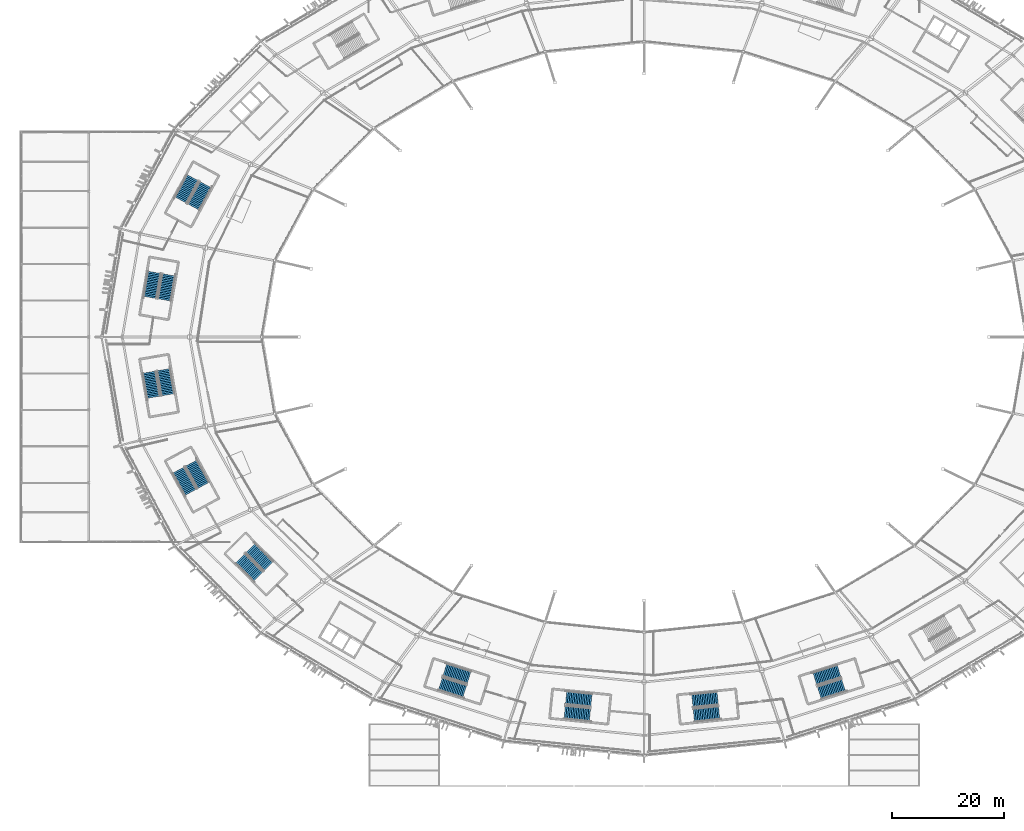
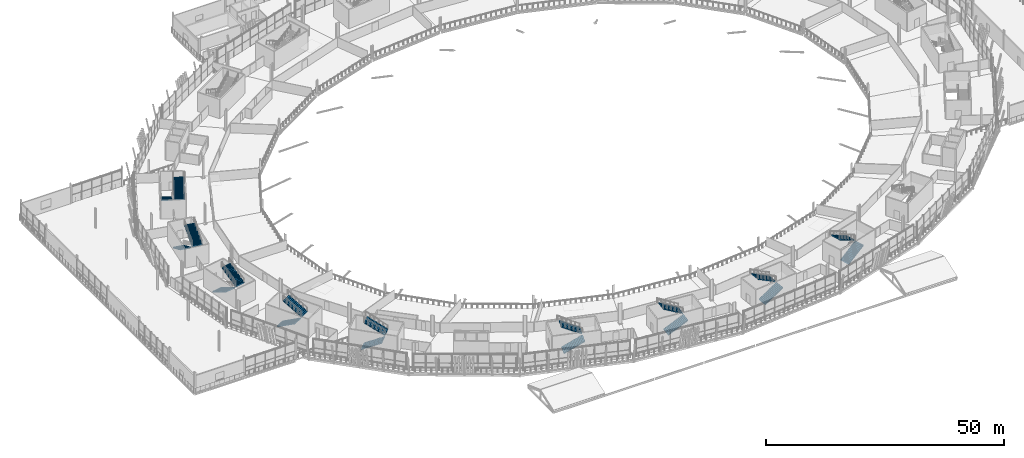
# One storey, part 129 of 168: 18 stair flights, 9 elements without a shape of their own.
"""IFC4 building model written with IfcOpenShell, lengths in metres."""

import ifcopenshell
import ifcopenshell.guid

model = None  # the IFC model being written
_history = None  # IfcOwnerHistory: only IFC2X3 demands one
_inside = {}  # id of a spatial element -> (the spatial element, [elements in it])
_under = {}  # id of a project, library or spatial element -> (it, [spatial elements below it])
_declared = {}  # id of a project -> (the project, [libraries it declares])
_typed = {}  # id of a type object -> (the type object, [elements of that type])
_made_of = {}  # id of a material, layer set ... -> (it, [elements and type objects made of it])


def new_model(schema):
    """Start an empty IFC model of exactly this schema.

    Asked for "IFC4X3", IfcOpenShell would pick the latest addendum, in which some entities
    have other attributes; the version numbers below select the first issue.
    IFC2X3 requires an IfcOwnerHistory on every rooted entity: one is made here for all.
    """
    global model, _history
    if schema == "IFC4X3":
        model = ifcopenshell.file(schema_version=(4, 3, 0, 0))
    else:
        model = ifcopenshell.file(schema=schema)
    _inside.clear()
    _under.clear()
    _declared.clear()
    _typed.clear()
    _made_of.clear()
    _history = None
    if model.schema == "IFC2X3":
        org = make("IfcOrganization", Name="unknown")
        user = make(
            "IfcPersonAndOrganization",
            ThePerson=make("IfcPerson", FamilyName="unknown"),
            TheOrganization=org,
        )
        app = make(
            "IfcApplication",
            ApplicationDeveloper=org,
            Version="unknown",
            ApplicationFullName="unknown",
            ApplicationIdentifier="unknown",
        )
        _history = make(
            "IfcOwnerHistory",
            OwningUser=user,
            OwningApplication=app,
            ChangeAction="ADDED",
            CreationDate=0,
        )
    return model


def make(cls, **values):
    """One entity of the class cls with the attributes given. An attribute that is None is left unset."""
    return model.create_entity(
        cls, **{name: value for name, value in values.items() if value is not None}
    )


def rooted(cls, **values):
    """An entity with a GlobalId (a new one), such as an element, a storey or a relation."""
    return make(cls, GlobalId=ifcopenshell.guid.new(), OwnerHistory=_history, **values)


def si_unit(unit_type, name, prefix=None):
    """IfcSIUnit, for example si_unit("LENGTHUNIT", "METRE", prefix="MILLI")."""
    return make("IfcSIUnit", UnitType=unit_type, Prefix=prefix, Name=name)


def assignment(units):
    """IfcUnitAssignment: the units of a project."""
    return None if units is None else make("IfcUnitAssignment", Units=units)


def point(xyz):
    """IfcCartesianPoint."""
    return None if xyz is None else make("IfcCartesianPoint", Coordinates=xyz)


def direction(xyz):
    """IfcDirection."""
    return None if xyz is None else make("IfcDirection", DirectionRatios=xyz)


def frame(location, z_axis=None, x_axis=None):
    """IfcAxis2Placement3D, a coordinate frame: its origin and axes. An axis left out is left unset."""
    return make(
        "IfcAxis2Placement3D",
        Location=point(location),
        Axis=direction(z_axis),
        RefDirection=direction(x_axis),
    )


def origin():
    """The frame at (0, 0, 0) with its axes left unset."""
    return frame((0.0, 0.0, 0.0))


def place(relative_to, where):
    """IfcLocalPlacement: puts the frame where relative to a parent placement (None: the world)."""
    return make(
        "IfcLocalPlacement", PlacementRelTo=relative_to, RelativePlacement=where
    )


def context(
    kind, dimensions, precision=None, world=None, true_north=None, identifier=None
):
    """IfcGeometricRepresentationContext, for example the 3D "Model" context."""
    return make(
        "IfcGeometricRepresentationContext",
        ContextIdentifier=identifier,
        ContextType=kind,
        CoordinateSpaceDimension=dimensions,
        Precision=precision,
        WorldCoordinateSystem=world,
        TrueNorth=true_north,
    )


def subcontext(parent, identifier, kind, view, scale=None):
    """IfcGeometricRepresentationSubContext, for example "Body" below "Model"."""
    return make(
        "IfcGeometricRepresentationSubContext",
        ContextIdentifier=identifier,
        ContextType=kind,
        ParentContext=parent,
        TargetScale=scale,
        TargetView=view,
    )


def project(units=None, contexts=None):
    """IfcProject with its units and contexts."""
    return rooted(
        "IfcProject",
        Name="project",
        RepresentationContexts=contexts,
        UnitsInContext=assignment(units),
    )


def spatial(cls, under=None, at=None, **own):
    """A site, building, storey or space (cls), placed at a placement, below another one or the project."""
    s = rooted(cls, ObjectPlacement=at, **own)
    if under is not None:
        _under.setdefault(under.id(), (under, []))[1].append(s)
    return s


def polyline(points):
    """IfcPolyline through the points."""
    return make("IfcPolyline", Points=[point(p) for p in points])


def outline(outer, holes=None, kind="AREA"):
    """IfcArbitraryClosedProfileDef: a profile drawn as a closed curve; with holes, ...WithVoids."""
    if holes is None:
        return make("IfcArbitraryClosedProfileDef", ProfileType=kind, OuterCurve=outer)
    return make(
        "IfcArbitraryProfileDefWithVoids",
        ProfileType=kind,
        OuterCurve=outer,
        InnerCurves=holes,
    )


def extrude(swept, where, along, depth):
    """IfcExtrudedAreaSolid: the profile swept, set in the frame where, extruded along a direction by depth."""
    return make(
        "IfcExtrudedAreaSolid",
        SweptArea=swept,
        Position=where,
        ExtrudedDirection=direction(along),
        Depth=depth,
    )


def shape(context_of_items, identifier, shape_type, items):
    """IfcShapeRepresentation: the items that make up one representation, for example the "Body"."""
    return make(
        "IfcShapeRepresentation",
        ContextOfItems=context_of_items,
        RepresentationIdentifier=identifier,
        RepresentationType=shape_type,
        Items=items,
    )


def material(Name=None, Category=None):
    """IfcMaterial."""
    return make("IfcMaterial", Name=Name, Category=Category)


def made_of(thing, what):
    """Note that an element or type object is made of a material, layer set ...; save() writes the relation."""
    if what is not None:
        _made_of.setdefault(what.id(), (what, []))[1].append(thing)
    return thing


def type_object(cls, material=None, **own):
    """A type object (cls), such as IfcWallType, which elements share."""
    return made_of(rooted(cls, **own), material)


def element(
    cls,
    number,
    at=None,
    inside=None,
    cuts=None,
    type_object=None,
    material=None,
    context=None,
    identifier="Body",
    shape_type=None,
    held_by="IfcProductDefinitionShape",
    body=None,
    shapes=None,
    **own,
):
    """One element of the class cls, such as IfcWall. Its Tag is "e" and its number.

    at: its placement. inside: the storey or other place that contains it. cuts: it is an
    opening in that element (IfcRelVoidsElement). A single representation is given by context,
    identifier, shape_type and body (its items); several are given by shapes. held_by: the class
    of the entity that holds the representations. save() writes the other relations.
    """
    e = rooted(cls, Tag="e%d" % number, ObjectPlacement=at, **own)
    if body is not None:
        shapes = [shape(context, identifier, shape_type, body)]
    if shapes is not None:
        e.Representation = make(held_by, Representations=shapes)
    if inside is not None:
        _inside.setdefault(inside.id(), (inside, []))[1].append(e)
    if cuts is not None:
        rooted(
            "IfcRelVoidsElement", RelatingBuildingElement=cuts, RelatedOpeningElement=e
        )
    if type_object is not None:
        _typed.setdefault(type_object.id(), (type_object, []))[1].append(e)
    return made_of(e, material)


def aggregate(whole, parts):
    """IfcRelAggregates: a whole, such as a stair, and the parts it consists of."""
    return rooted("IfcRelAggregates", RelatingObject=whole, RelatedObjects=parts)


def save(model, path):
    """Write the relations noted so far, then the file.

    IfcRelAggregates (storeys below a building ...), IfcRelContainedInSpatialStructure (elements
    in a storey), IfcRelDefinesByType, IfcRelAssociatesMaterial and IfcRelDeclares: one each for
    every whole, place, type object, material and project.
    """
    for whole, parts in _under.values():
        aggregate(whole, parts)
    for where, things in _inside.values():
        rooted(
            "IfcRelContainedInSpatialStructure",
            RelatedElements=things,
            RelatingStructure=where,
        )
    for kind, things in _typed.values():
        rooted("IfcRelDefinesByType", RelatedObjects=things, RelatingType=kind)
    for what, things in _made_of.values():
        rooted("IfcRelAssociatesMaterial", RelatedObjects=things, RelatingMaterial=what)
    for by, libraries in _declared.values():
        rooted("IfcRelDeclares", RelatingContext=by, RelatedDefinitions=libraries)
    model.write(path)


model = new_model("IFC4")

# Units and contexts
model_context = context("Model", 3, precision=1e-05, world=origin(), true_north=direction((0.0, 1.0)))
body_context = subcontext(model_context, "Body", "Model", "MODEL_VIEW")
ifc_project = project(units=[si_unit("LENGTHUNIT", "METRE"), si_unit("AREAUNIT", "SQUARE_METRE"), si_unit("VOLUMEUNIT", "CUBIC_METRE"), si_unit("PLANEANGLEUNIT", "RADIAN"), si_unit("MASSUNIT", "GRAM", prefix="KILO")], contexts=[model_context])

# Site, building, storey
site_placement = place(None, origin())
site = spatial("IfcSite", under=ifc_project, at=site_placement, CompositionType="ELEMENT")
building_placement = place(site_placement, origin())
building = spatial("IfcBuilding", under=site, at=building_placement, Name="Zlatoyarsky Gate Stadium", CompositionType="ELEMENT")
storey_placement = place(building_placement, frame((0.0, 0.0, 15.60009765625)))
storey = spatial("IfcBuildingStorey", under=building, at=storey_placement, Name="L03", CompositionType="ELEMENT", Elevation=15.60009765625)

# Stair, stair flights
ifc_material = material(Name="Concrete C40/50", Category="concrete")
stair_type = type_object("IfcStairType", Name="CONCRETE DOGLEG EXIT STAIR H5200", PredefinedType="TWO_STRAIGHT_RUN_STAIR", material=ifc_material)
stair_1_placement = place(storey_placement, origin())
stair_1 = element("IfcStair", 1, at=stair_1_placement, inside=storey, type_object=stair_type, Name="L03 Exit Stair ST-06", PredefinedType="TWO_STRAIGHT_RUN_STAIR")
stair_flight_type = type_object("IfcStairFlightType", Name="CONCRETE STAIR FLIGHT 2400 H5200", PredefinedType="STRAIGHT", material=ifc_material)
stair_flight_1_placement = place(storey_placement, frame((30.5517578125, 108.37353515625, 0.0), z_axis=(0.0, 0.0, 1.0), x_axis=(-0.476890318595, -0.878962811518, 0.0)))
stair_flight_1 = element("IfcStairFlight", 2, at=stair_flight_1_placement, type_object=stair_flight_type, Name="ST-DG52 flight 1", NumberOfRisers=16, NumberOfTreads=15, PredefinedType="STRAIGHT", RiserHeight=0.1625, TreadLength=0.3, context=body_context, shape_type="SweptSolid", body=[
    extrude(outline(polyline([(-0.006103515625, -0.193359375), (-0.006103515625, 0.0), (0.0, 0.0), (0.0, 0.16259765625), (0.300048828125, 0.16259765625), (0.300048828125, 0.324951171875), (0.60009765625, 0.324951171875), (0.60009765625, 0.487548828125), (0.89990234375, 0.487548828125), (0.89990234375, 0.64990234375), (1.199951171875, 0.64990234375), (1.199951171875, 0.8125), (1.5, 0.8125), (1.5, 0.97509765625), (1.800048828125, 0.97509765625), (1.800048828125, 1.137451171875), (2.10009765625, 1.137451171875), (2.10009765625, 1.300048828125), (2.39990234375, 1.300048828125), (2.39990234375, 1.46240234375), (2.699951171875, 1.46240234375), (2.699951171875, 1.625), (3.0, 1.625), (3.0, 1.78759765625), (3.300048828125, 1.78759765625), (3.300048828125, 1.949951171875), (3.60009765625, 1.949951171875), (3.60009765625, 2.112548828125), (3.89990234375, 2.112548828125), (3.89990234375, 2.27490234375), (4.199951171875, 2.27490234375), (4.199951171875, 2.4375), (4.5, 2.4375), (4.5, 2.60009765625), (4.506103515625, 2.60009765625), (4.506103515625, 2.244140625), (4.5, 2.244140625), (-0.006103515625, -0.193359375)])), frame((0.0, 1.199951171875, 0.0), z_axis=(0.0, -1.0, 0.0), x_axis=(1.0, 0.0, 0.0)), (0.0, 0.0, 1.0), 2.39990234375),
])
stair_flight_2_placement = place(storey_placement, frame((30.691162109375, 103.17822265625, 2.599853515625), z_axis=(0.0, 0.0, 1.0), x_axis=(0.476890318595, 0.878962811518, 0.0)))
stair_flight_2 = element("IfcStairFlight", 3, at=stair_flight_2_placement, type_object=stair_flight_type, Name="ST-DG52 flight 2", NumberOfRisers=16, NumberOfTreads=15, PredefinedType="STRAIGHT", RiserHeight=0.1625, TreadLength=0.3, context=body_context, shape_type="SweptSolid", body=[
    extrude(outline(polyline([(-0.006103515625, -0.193359375), (-0.006103515625, 0.0), (0.0, 0.0), (0.0, 0.16259765625), (0.300048828125, 0.16259765625), (0.300048828125, 0.324951171875), (0.60009765625, 0.324951171875), (0.60009765625, 0.487548828125), (0.89990234375, 0.487548828125), (0.89990234375, 0.64990234375), (1.199951171875, 0.64990234375), (1.199951171875, 0.8125), (1.5, 0.8125), (1.5, 0.97509765625), (1.800048828125, 0.97509765625), (1.800048828125, 1.137451171875), (2.10009765625, 1.137451171875), (2.10009765625, 1.300048828125), (2.39990234375, 1.300048828125), (2.39990234375, 1.46240234375), (2.699951171875, 1.46240234375), (2.699951171875, 1.625), (3.0, 1.625), (3.0, 1.78759765625), (3.300048828125, 1.78759765625), (3.300048828125, 1.949951171875), (3.60009765625, 1.949951171875), (3.60009765625, 2.112548828125), (3.89990234375, 2.112548828125), (3.89990234375, 2.27490234375), (4.199951171875, 2.27490234375), (4.199951171875, 2.4375), (4.5, 2.4375), (4.5, 2.60009765625), (4.506103515625, 2.60009765625), (4.506103515625, 2.244140625), (4.5, 2.244140625), (-0.006103515625, -0.193359375)])), frame((0.0, 1.199951171875, 0.0), z_axis=(0.0, -1.0, 0.0), x_axis=(1.0, 0.0, 0.0)), (0.0, 0.0, 1.0), 2.39990234375),
])
aggregate(stair_1, [stair_flight_1, stair_flight_2])

stair_2_placement = place(storey_placement, origin())
stair_2 = element("IfcStair", 4, at=stair_2_placement, inside=storey, type_object=stair_type, Name="L03 Exit Stair ST-07", PredefinedType="TWO_STRAIGHT_RUN_STAIR")
stair_flight_3_placement = place(storey_placement, frame((22.80712890625, 73.71875, 0.0), z_axis=(0.0, 0.0, 1.0), x_axis=(0.169937754623, -0.985454798331, 0.0)))
stair_flight_3 = element("IfcStairFlight", 5, at=stair_flight_3_placement, type_object=stair_flight_type, Name="ST-DG52 flight 1", NumberOfRisers=16, NumberOfTreads=15, PredefinedType="STRAIGHT", RiserHeight=0.1625, TreadLength=0.3, context=body_context, shape_type="SweptSolid", body=[
    extrude(outline(polyline([(-0.006103515625, -0.193359375), (-0.006103515625, 0.0), (0.0, 0.0), (0.0, 0.16259765625), (0.300048828125, 0.16259765625), (0.300048828125, 0.324951171875), (0.60009765625, 0.324951171875), (0.60009765625, 0.487548828125), (0.89990234375, 0.487548828125), (0.89990234375, 0.64990234375), (1.199951171875, 0.64990234375), (1.199951171875, 0.8125), (1.5, 0.8125), (1.5, 0.97509765625), (1.800048828125, 0.97509765625), (1.800048828125, 1.137451171875), (2.10009765625, 1.137451171875), (2.10009765625, 1.300048828125), (2.39990234375, 1.300048828125), (2.39990234375, 1.46240234375), (2.699951171875, 1.46240234375), (2.699951171875, 1.625), (3.0, 1.625), (3.0, 1.78759765625), (3.300048828125, 1.78759765625), (3.300048828125, 1.949951171875), (3.60009765625, 1.949951171875), (3.60009765625, 2.112548828125), (3.89990234375, 2.112548828125), (3.89990234375, 2.27490234375), (4.199951171875, 2.27490234375), (4.199951171875, 2.4375), (4.5, 2.4375), (4.5, 2.60009765625), (4.506103515625, 2.60009765625), (4.506103515625, 2.244140625), (4.5, 2.244140625), (-0.006103515625, -0.193359375)])), frame((0.0, 1.199951171875, 0.0), z_axis=(0.0, -1.0, 0.0), x_axis=(1.0, 0.0, 0.0)), (0.0, 0.0, 1.0), 2.39990234375),
])
stair_flight_4_placement = place(storey_placement, frame((26.134033203125, 69.72607421875, 2.599853515625), z_axis=(0.0, 0.0, 1.0), x_axis=(-0.169937754623, 0.985454798331, 0.0)))
stair_flight_4 = element("IfcStairFlight", 6, at=stair_flight_4_placement, type_object=stair_flight_type, Name="ST-DG52 flight 2", NumberOfRisers=16, NumberOfTreads=15, PredefinedType="STRAIGHT", RiserHeight=0.1625, TreadLength=0.3, context=body_context, shape_type="SweptSolid", body=[
    extrude(outline(polyline([(-0.006103515625, -0.193359375), (-0.006103515625, 0.0), (0.0, 0.0), (0.0, 0.16259765625), (0.300048828125, 0.16259765625), (0.300048828125, 0.324951171875), (0.60009765625, 0.324951171875), (0.60009765625, 0.487548828125), (0.89990234375, 0.487548828125), (0.89990234375, 0.64990234375), (1.199951171875, 0.64990234375), (1.199951171875, 0.8125), (1.5, 0.8125), (1.5, 0.97509765625), (1.800048828125, 0.97509765625), (1.800048828125, 1.137451171875), (2.10009765625, 1.137451171875), (2.10009765625, 1.300048828125), (2.39990234375, 1.300048828125), (2.39990234375, 1.46240234375), (2.699951171875, 1.46240234375), (2.699951171875, 1.625), (3.0, 1.625), (3.0, 1.78759765625), (3.300048828125, 1.78759765625), (3.300048828125, 1.949951171875), (3.60009765625, 1.949951171875), (3.60009765625, 2.112548828125), (3.89990234375, 2.112548828125), (3.89990234375, 2.27490234375), (4.199951171875, 2.27490234375), (4.199951171875, 2.4375), (4.5, 2.4375), (4.5, 2.60009765625), (4.506103515625, 2.60009765625), (4.506103515625, 2.244140625), (4.5, 2.244140625), (-0.006103515625, -0.193359375)])), frame((0.0, 1.199951171875, 0.0), z_axis=(0.0, -1.0, 0.0), x_axis=(1.0, 0.0, 0.0)), (0.0, 0.0, 1.0), 2.39990234375),
])
aggregate(stair_2, [stair_flight_3, stair_flight_4])

stair_3_placement = place(storey_placement, origin())
stair_3 = element("IfcStair", 7, at=stair_3_placement, inside=storey, type_object=stair_type, Name="L03 Exit Stair ST-08", PredefinedType="TWO_STRAIGHT_RUN_STAIR")
stair_flight_5_placement = place(storey_placement, frame((39.01806640625, 40.50341796875, 0.0), z_axis=(0.0, 0.0, 1.0), x_axis=(0.708901395436, -0.70530760066, 0.0)))
stair_flight_5 = element("IfcStairFlight", 8, at=stair_flight_5_placement, type_object=stair_flight_type, Name="ST-DG52 flight 1", NumberOfRisers=16, NumberOfTreads=15, PredefinedType="STRAIGHT", RiserHeight=0.1625, TreadLength=0.3, context=body_context, shape_type="SweptSolid", body=[
    extrude(outline(polyline([(-0.006103515625, -0.193359375), (-0.006103515625, 0.0), (0.0, 0.0), (0.0, 0.16259765625), (0.300048828125, 0.16259765625), (0.300048828125, 0.324951171875), (0.60009765625, 0.324951171875), (0.60009765625, 0.487548828125), (0.89990234375, 0.487548828125), (0.89990234375, 0.64990234375), (1.199951171875, 0.64990234375), (1.199951171875, 0.8125), (1.5, 0.8125), (1.5, 0.97509765625), (1.800048828125, 0.97509765625), (1.800048828125, 1.137451171875), (2.10009765625, 1.137451171875), (2.10009765625, 1.300048828125), (2.39990234375, 1.300048828125), (2.39990234375, 1.46240234375), (2.699951171875, 1.46240234375), (2.699951171875, 1.625), (3.0, 1.625), (3.0, 1.78759765625), (3.300048828125, 1.78759765625), (3.300048828125, 1.949951171875), (3.60009765625, 1.949951171875), (3.60009765625, 2.112548828125), (3.89990234375, 2.112548828125), (3.89990234375, 2.27490234375), (4.199951171875, 2.27490234375), (4.199951171875, 2.4375), (4.5, 2.4375), (4.5, 2.60009765625), (4.506103515625, 2.60009765625), (4.506103515625, 2.244140625), (4.5, 2.244140625), (-0.006103515625, -0.193359375)])), frame((0.0, 1.199951171875, 0.0), z_axis=(0.0, -1.0, 0.0), x_axis=(1.0, 0.0, 0.0)), (0.0, 0.0, 1.0), 2.39990234375),
])
stair_flight_6_placement = place(storey_placement, frame((44.0419921875, 39.172607421875, 2.599853515625), z_axis=(0.0, 0.0, 1.0), x_axis=(-0.708901395436, 0.70530760066, 0.0)))
stair_flight_6 = element("IfcStairFlight", 9, at=stair_flight_6_placement, type_object=stair_flight_type, Name="ST-DG52 flight 2", NumberOfRisers=16, NumberOfTreads=15, PredefinedType="STRAIGHT", RiserHeight=0.1625, TreadLength=0.3, context=body_context, shape_type="SweptSolid", body=[
    extrude(outline(polyline([(-0.006103515625, -0.193359375), (-0.006103515625, 0.0), (0.0, 0.0), (0.0, 0.16259765625), (0.300048828125, 0.16259765625), (0.300048828125, 0.324951171875), (0.60009765625, 0.324951171875), (0.60009765625, 0.487548828125), (0.89990234375, 0.487548828125), (0.89990234375, 0.64990234375), (1.199951171875, 0.64990234375), (1.199951171875, 0.8125), (1.5, 0.8125), (1.5, 0.97509765625), (1.800048828125, 0.97509765625), (1.800048828125, 1.137451171875), (2.10009765625, 1.137451171875), (2.10009765625, 1.300048828125), (2.39990234375, 1.300048828125), (2.39990234375, 1.46240234375), (2.699951171875, 1.46240234375), (2.699951171875, 1.625), (3.0, 1.625), (3.0, 1.78759765625), (3.300048828125, 1.78759765625), (3.300048828125, 1.949951171875), (3.60009765625, 1.949951171875), (3.60009765625, 2.112548828125), (3.89990234375, 2.112548828125), (3.89990234375, 2.27490234375), (4.199951171875, 2.27490234375), (4.199951171875, 2.4375), (4.5, 2.4375), (4.5, 2.60009765625), (4.506103515625, 2.60009765625), (4.506103515625, 2.244140625), (4.5, 2.244140625), (-0.006103515625, -0.193359375)])), frame((0.0, 1.199951171875, 0.0), z_axis=(0.0, -1.0, 0.0), x_axis=(1.0, 0.0, 0.0)), (0.0, 0.0, 1.0), 2.39990234375),
])
aggregate(stair_3, [stair_flight_5, stair_flight_6])

stair_4_placement = place(storey_placement, origin())
stair_4 = element("IfcStair", 10, at=stair_4_placement, inside=storey, type_object=stair_type, Name="L03 Exit Stair ST-09", PredefinedType="TWO_STRAIGHT_RUN_STAIR")
stair_flight_7_placement = place(storey_placement, frame((74.70849609375, 18.179931640625, 0.0), z_axis=(0.0, 0.0, 1.0), x_axis=(0.953463118711, -0.301509670257, 0.0)))
stair_flight_7 = element("IfcStairFlight", 11, at=stair_flight_7_placement, type_object=stair_flight_type, Name="ST-DG52 flight 1", NumberOfRisers=16, NumberOfTreads=15, PredefinedType="STRAIGHT", RiserHeight=0.1625, TreadLength=0.3, context=body_context, shape_type="SweptSolid", body=[
    extrude(outline(polyline([(-0.006103515625, -0.193359375), (-0.006103515625, 0.0), (0.0, 0.0), (0.0, 0.16259765625), (0.300048828125, 0.16259765625), (0.300048828125, 0.324951171875), (0.60009765625, 0.324951171875), (0.60009765625, 0.487548828125), (0.89990234375, 0.487548828125), (0.89990234375, 0.64990234375), (1.199951171875, 0.64990234375), (1.199951171875, 0.8125), (1.5, 0.8125), (1.5, 0.97509765625), (1.800048828125, 0.97509765625), (1.800048828125, 1.137451171875), (2.10009765625, 1.137451171875), (2.10009765625, 1.300048828125), (2.39990234375, 1.300048828125), (2.39990234375, 1.46240234375), (2.699951171875, 1.46240234375), (2.699951171875, 1.625), (3.0, 1.625), (3.0, 1.78759765625), (3.300048828125, 1.78759765625), (3.300048828125, 1.949951171875), (3.60009765625, 1.949951171875), (3.60009765625, 2.112548828125), (3.89990234375, 2.112548828125), (3.89990234375, 2.27490234375), (4.199951171875, 2.27490234375), (4.199951171875, 2.4375), (4.5, 2.4375), (4.5, 2.60009765625), (4.506103515625, 2.60009765625), (4.506103515625, 2.244140625), (4.5, 2.244140625), (-0.006103515625, -0.193359375)])), frame((0.0, 1.199951171875, 0.0), z_axis=(0.0, -1.0, 0.0), x_axis=(1.0, 0.0, 0.0)), (0.0, 0.0, 1.0), 2.39990234375),
])
stair_flight_8_placement = place(storey_placement, frame((79.782958984375, 19.30224609375, 2.599853515625), z_axis=(0.0, 0.0, 1.0), x_axis=(-0.953463118711, 0.301509670257, 0.0)))
stair_flight_8 = element("IfcStairFlight", 12, at=stair_flight_8_placement, type_object=stair_flight_type, Name="ST-DG52 flight 2", NumberOfRisers=16, NumberOfTreads=15, PredefinedType="STRAIGHT", RiserHeight=0.1625, TreadLength=0.3, context=body_context, shape_type="SweptSolid", body=[
    extrude(outline(polyline([(-0.006103515625, -0.193359375), (-0.006103515625, 0.0), (0.0, 0.0), (0.0, 0.16259765625), (0.300048828125, 0.16259765625), (0.300048828125, 0.324951171875), (0.60009765625, 0.324951171875), (0.60009765625, 0.487548828125), (0.89990234375, 0.487548828125), (0.89990234375, 0.64990234375), (1.199951171875, 0.64990234375), (1.199951171875, 0.8125), (1.5, 0.8125), (1.5, 0.97509765625), (1.800048828125, 0.97509765625), (1.800048828125, 1.137451171875), (2.10009765625, 1.137451171875), (2.10009765625, 1.300048828125), (2.39990234375, 1.300048828125), (2.39990234375, 1.46240234375), (2.699951171875, 1.46240234375), (2.699951171875, 1.625), (3.0, 1.625), (3.0, 1.78759765625), (3.300048828125, 1.78759765625), (3.300048828125, 1.949951171875), (3.60009765625, 1.949951171875), (3.60009765625, 2.112548828125), (3.89990234375, 2.112548828125), (3.89990234375, 2.27490234375), (4.199951171875, 2.27490234375), (4.199951171875, 2.4375), (4.5, 2.4375), (4.5, 2.60009765625), (4.506103515625, 2.60009765625), (4.506103515625, 2.244140625), (4.5, 2.244140625), (-0.006103515625, -0.193359375)])), frame((0.0, 1.199951171875, 0.0), z_axis=(0.0, -1.0, 0.0), x_axis=(1.0, 0.0, 0.0)), (0.0, 0.0, 1.0), 2.39990234375),
])
aggregate(stair_4, [stair_flight_7, stair_flight_8])

stair_5_placement = place(storey_placement, origin())
stair_5 = element("IfcStair", 13, at=stair_5_placement, inside=storey, type_object=stair_type, Name="L03 Exit Stair ST-10", PredefinedType="TWO_STRAIGHT_RUN_STAIR")
stair_flight_9_placement = place(storey_placement, frame((119.876220703125, 12.5732421875, 0.0), z_axis=(0.0, 0.0, 1.0), x_axis=(0.994986861964, 0.100005722426, 0.0)))
stair_flight_9 = element("IfcStairFlight", 14, at=stair_flight_9_placement, type_object=stair_flight_type, Name="ST-DG52 flight 1", NumberOfRisers=16, NumberOfTreads=15, PredefinedType="STRAIGHT", RiserHeight=0.1625, TreadLength=0.3, context=body_context, shape_type="SweptSolid", body=[
    extrude(outline(polyline([(-0.006103515625, -0.193359375), (-0.006103515625, 0.0), (0.0, 0.0), (0.0, 0.16259765625), (0.300048828125, 0.16259765625), (0.300048828125, 0.324951171875), (0.60009765625, 0.324951171875), (0.60009765625, 0.487548828125), (0.89990234375, 0.487548828125), (0.89990234375, 0.64990234375), (1.199951171875, 0.64990234375), (1.199951171875, 0.8125), (1.5, 0.8125), (1.5, 0.97509765625), (1.800048828125, 0.97509765625), (1.800048828125, 1.137451171875), (2.10009765625, 1.137451171875), (2.10009765625, 1.300048828125), (2.39990234375, 1.300048828125), (2.39990234375, 1.46240234375), (2.699951171875, 1.46240234375), (2.699951171875, 1.625), (3.0, 1.625), (3.0, 1.78759765625), (3.300048828125, 1.78759765625), (3.300048828125, 1.949951171875), (3.60009765625, 1.949951171875), (3.60009765625, 2.112548828125), (3.89990234375, 2.112548828125), (3.89990234375, 2.27490234375), (4.199951171875, 2.27490234375), (4.199951171875, 2.4375), (4.5, 2.4375), (4.5, 2.60009765625), (4.506103515625, 2.60009765625), (4.506103515625, 2.244140625), (4.5, 2.244140625), (-0.006103515625, -0.193359375)])), frame((0.0, 1.199951171875, 0.0), z_axis=(0.0, -1.0, 0.0), x_axis=(1.0, 0.0, 0.0)), (0.0, 0.0, 1.0), 2.39990234375),
])
stair_flight_10_placement = place(storey_placement, frame((124.093505859375, 15.610107421875, 2.599853515625), z_axis=(0.0, 0.0, 1.0), x_axis=(-0.994986861964, -0.100005722426, 0.0)))
stair_flight_10 = element("IfcStairFlight", 15, at=stair_flight_10_placement, type_object=stair_flight_type, Name="ST-DG52 flight 2", NumberOfRisers=16, NumberOfTreads=15, PredefinedType="STRAIGHT", RiserHeight=0.1625, TreadLength=0.3, context=body_context, shape_type="SweptSolid", body=[
    extrude(outline(polyline([(-0.006103515625, -0.193359375), (-0.006103515625, 0.0), (0.0, 0.0), (0.0, 0.16259765625), (0.300048828125, 0.16259765625), (0.300048828125, 0.324951171875), (0.60009765625, 0.324951171875), (0.60009765625, 0.487548828125), (0.89990234375, 0.487548828125), (0.89990234375, 0.64990234375), (1.199951171875, 0.64990234375), (1.199951171875, 0.8125), (1.5, 0.8125), (1.5, 0.97509765625), (1.800048828125, 0.97509765625), (1.800048828125, 1.137451171875), (2.10009765625, 1.137451171875), (2.10009765625, 1.300048828125), (2.39990234375, 1.300048828125), (2.39990234375, 1.46240234375), (2.699951171875, 1.46240234375), (2.699951171875, 1.625), (3.0, 1.625), (3.0, 1.78759765625), (3.300048828125, 1.78759765625), (3.300048828125, 1.949951171875), (3.60009765625, 1.949951171875), (3.60009765625, 2.112548828125), (3.89990234375, 2.112548828125), (3.89990234375, 2.27490234375), (4.199951171875, 2.27490234375), (4.199951171875, 2.4375), (4.5, 2.4375), (4.5, 2.60009765625), (4.506103515625, 2.60009765625), (4.506103515625, 2.244140625), (4.5, 2.244140625), (-0.006103515625, -0.193359375)])), frame((0.0, 1.199951171875, 0.0), z_axis=(0.0, -1.0, 0.0), x_axis=(1.0, 0.0, 0.0)), (0.0, 0.0, 1.0), 2.39990234375),
])
aggregate(stair_5, [stair_flight_9, stair_flight_10])

stair_6_placement = place(storey_placement, origin())
stair_6 = element("IfcStair", 16, at=stair_6_placement, inside=storey, type_object=stair_type, Name="L03 Exit Stair ST-15", PredefinedType="TWO_STRAIGHT_RUN_STAIR")
stair_flight_11_placement = place(storey_placement, frame((28.0244140625, 56.284912109375, 0.0), z_axis=(0.0, 0.0, 1.0), x_axis=(0.476890318595, -0.878962811518, 0.0)))
stair_flight_11 = element("IfcStairFlight", 17, at=stair_flight_11_placement, type_object=stair_flight_type, Name="ST-DG52 flight 1", NumberOfRisers=16, NumberOfTreads=15, PredefinedType="STRAIGHT", RiserHeight=0.1625, TreadLength=0.3, context=body_context, shape_type="SweptSolid", body=[
    extrude(outline(polyline([(-0.006103515625, -0.193359375), (-0.006103515625, 0.0), (0.0, 0.0), (0.0, 0.16259765625), (0.300048828125, 0.16259765625), (0.300048828125, 0.324951171875), (0.60009765625, 0.324951171875), (0.60009765625, 0.487548828125), (0.89990234375, 0.487548828125), (0.89990234375, 0.64990234375), (1.199951171875, 0.64990234375), (1.199951171875, 0.8125), (1.5, 0.8125), (1.5, 0.97509765625), (1.800048828125, 0.97509765625), (1.800048828125, 1.137451171875), (2.10009765625, 1.137451171875), (2.10009765625, 1.300048828125), (2.39990234375, 1.300048828125), (2.39990234375, 1.46240234375), (2.699951171875, 1.46240234375), (2.699951171875, 1.625), (3.0, 1.625), (3.0, 1.78759765625), (3.300048828125, 1.78759765625), (3.300048828125, 1.949951171875), (3.60009765625, 1.949951171875), (3.60009765625, 2.112548828125), (3.89990234375, 2.112548828125), (3.89990234375, 2.27490234375), (4.199951171875, 2.27490234375), (4.199951171875, 2.4375), (4.5, 2.4375), (4.5, 2.60009765625), (4.506103515625, 2.60009765625), (4.506103515625, 2.244140625), (4.5, 2.244140625), (-0.006103515625, -0.193359375)])), frame((0.0, 1.199951171875, 0.0), z_axis=(0.0, -1.0, 0.0), x_axis=(1.0, 0.0, 0.0)), (0.0, 0.0, 1.0), 2.39990234375),
])
stair_flight_12_placement = place(storey_placement, frame((32.45556640625, 53.569580078125, 2.599853515625), z_axis=(0.0, 0.0, 1.0), x_axis=(-0.476890318595, 0.878962811518, 0.0)))
stair_flight_12 = element("IfcStairFlight", 18, at=stair_flight_12_placement, type_object=stair_flight_type, Name="ST-DG52 flight 2", NumberOfRisers=16, NumberOfTreads=15, PredefinedType="STRAIGHT", RiserHeight=0.1625, TreadLength=0.3, context=body_context, shape_type="SweptSolid", body=[
    extrude(outline(polyline([(-0.006103515625, -0.193359375), (-0.006103515625, 0.0), (0.0, 0.0), (0.0, 0.16259765625), (0.300048828125, 0.16259765625), (0.300048828125, 0.324951171875), (0.60009765625, 0.324951171875), (0.60009765625, 0.487548828125), (0.89990234375, 0.487548828125), (0.89990234375, 0.64990234375), (1.199951171875, 0.64990234375), (1.199951171875, 0.8125), (1.5, 0.8125), (1.5, 0.97509765625), (1.800048828125, 0.97509765625), (1.800048828125, 1.137451171875), (2.10009765625, 1.137451171875), (2.10009765625, 1.300048828125), (2.39990234375, 1.300048828125), (2.39990234375, 1.46240234375), (2.699951171875, 1.46240234375), (2.699951171875, 1.625), (3.0, 1.625), (3.0, 1.78759765625), (3.300048828125, 1.78759765625), (3.300048828125, 1.949951171875), (3.60009765625, 1.949951171875), (3.60009765625, 2.112548828125), (3.89990234375, 2.112548828125), (3.89990234375, 2.27490234375), (4.199951171875, 2.27490234375), (4.199951171875, 2.4375), (4.5, 2.4375), (4.5, 2.60009765625), (4.506103515625, 2.60009765625), (4.506103515625, 2.244140625), (4.5, 2.244140625), (-0.006103515625, -0.193359375)])), frame((0.0, 1.199951171875, 0.0), z_axis=(0.0, -1.0, 0.0), x_axis=(1.0, 0.0, 0.0)), (0.0, 0.0, 1.0), 2.39990234375),
])
aggregate(stair_6, [stair_flight_11, stair_flight_12])

stair_7_placement = place(storey_placement, origin())
stair_7 = element("IfcStair", 19, at=stair_7_placement, inside=storey, type_object=stair_type, Name="L03 Exit Stair ST-16", PredefinedType="TWO_STRAIGHT_RUN_STAIR")
stair_flight_13_placement = place(storey_placement, frame((142.23828125, 16.58203125, 0.0), z_axis=(0.0, 0.0, 1.0), x_axis=(0.953463118711, 0.301509670257, 0.0)))
stair_flight_13 = element("IfcStairFlight", 20, at=stair_flight_13_placement, type_object=stair_flight_type, Name="ST-DG52 flight 1", NumberOfRisers=16, NumberOfTreads=15, PredefinedType="STRAIGHT", RiserHeight=0.1625, TreadLength=0.3, context=body_context, shape_type="SweptSolid", body=[
    extrude(outline(polyline([(-0.006103515625, -0.193359375), (-0.006103515625, 0.0), (0.0, 0.0), (0.0, 0.16259765625), (0.300048828125, 0.16259765625), (0.300048828125, 0.324951171875), (0.60009765625, 0.324951171875), (0.60009765625, 0.487548828125), (0.89990234375, 0.487548828125), (0.89990234375, 0.64990234375), (1.199951171875, 0.64990234375), (1.199951171875, 0.8125), (1.5, 0.8125), (1.5, 0.97509765625), (1.800048828125, 0.97509765625), (1.800048828125, 1.137451171875), (2.10009765625, 1.137451171875), (2.10009765625, 1.300048828125), (2.39990234375, 1.300048828125), (2.39990234375, 1.46240234375), (2.699951171875, 1.46240234375), (2.699951171875, 1.625), (3.0, 1.625), (3.0, 1.78759765625), (3.300048828125, 1.78759765625), (3.300048828125, 1.949951171875), (3.60009765625, 1.949951171875), (3.60009765625, 2.112548828125), (3.89990234375, 2.112548828125), (3.89990234375, 2.27490234375), (4.199951171875, 2.27490234375), (4.199951171875, 2.4375), (4.5, 2.4375), (4.5, 2.60009765625), (4.506103515625, 2.60009765625), (4.506103515625, 2.244140625), (4.5, 2.244140625), (-0.006103515625, -0.193359375)])), frame((0.0, 1.199951171875, 0.0), z_axis=(0.0, -1.0, 0.0), x_axis=(1.0, 0.0, 0.0)), (0.0, 0.0, 1.0), 2.39990234375),
])
stair_flight_14_placement = place(storey_placement, frame((145.744873046875, 20.417724609375, 2.599853515625), z_axis=(0.0, 0.0, 1.0), x_axis=(-0.953463118711, -0.301509670257, 0.0)))
stair_flight_14 = element("IfcStairFlight", 21, at=stair_flight_14_placement, type_object=stair_flight_type, Name="ST-DG52 flight 2", NumberOfRisers=16, NumberOfTreads=15, PredefinedType="STRAIGHT", RiserHeight=0.1625, TreadLength=0.3, context=body_context, shape_type="SweptSolid", body=[
    extrude(outline(polyline([(-0.006103515625, -0.193359375), (-0.006103515625, 0.0), (0.0, 0.0), (0.0, 0.16259765625), (0.300048828125, 0.16259765625), (0.300048828125, 0.324951171875), (0.60009765625, 0.324951171875), (0.60009765625, 0.487548828125), (0.89990234375, 0.487548828125), (0.89990234375, 0.64990234375), (1.199951171875, 0.64990234375), (1.199951171875, 0.8125), (1.5, 0.8125), (1.5, 0.97509765625), (1.800048828125, 0.97509765625), (1.800048828125, 1.137451171875), (2.10009765625, 1.137451171875), (2.10009765625, 1.300048828125), (2.39990234375, 1.300048828125), (2.39990234375, 1.46240234375), (2.699951171875, 1.46240234375), (2.699951171875, 1.625), (3.0, 1.625), (3.0, 1.78759765625), (3.300048828125, 1.78759765625), (3.300048828125, 1.949951171875), (3.60009765625, 1.949951171875), (3.60009765625, 2.112548828125), (3.89990234375, 2.112548828125), (3.89990234375, 2.27490234375), (4.199951171875, 2.27490234375), (4.199951171875, 2.4375), (4.5, 2.4375), (4.5, 2.60009765625), (4.506103515625, 2.60009765625), (4.506103515625, 2.244140625), (4.5, 2.244140625), (-0.006103515625, -0.193359375)])), frame((0.0, 1.199951171875, 0.0), z_axis=(0.0, -1.0, 0.0), x_axis=(1.0, 0.0, 0.0)), (0.0, 0.0, 1.0), 2.39990234375),
])
aggregate(stair_7, [stair_flight_13, stair_flight_14])

stair_8_placement = place(storey_placement, origin())
stair_8 = element("IfcStair", 22, at=stair_8_placement, inside=storey, type_object=stair_type, Name="L03 Exit Stair ST-18", PredefinedType="TWO_STRAIGHT_RUN_STAIR")
stair_flight_15_placement = place(storey_placement, frame((23.707763671875, 91.504150390625, 0.0), z_axis=(0.0, 0.0, 1.0), x_axis=(-0.169937754623, -0.985454798331, 0.0)))
stair_flight_15 = element("IfcStairFlight", 23, at=stair_flight_15_placement, type_object=stair_flight_type, Name="ST-DG52 flight 1", NumberOfRisers=16, NumberOfTreads=15, PredefinedType="STRAIGHT", RiserHeight=0.1625, TreadLength=0.3, context=body_context, shape_type="SweptSolid", body=[
    extrude(outline(polyline([(-0.006103515625, -0.193359375), (-0.006103515625, 0.0), (0.0, 0.0), (0.0, 0.16259765625), (0.300048828125, 0.16259765625), (0.300048828125, 0.324951171875), (0.60009765625, 0.324951171875), (0.60009765625, 0.487548828125), (0.89990234375, 0.487548828125), (0.89990234375, 0.64990234375), (1.199951171875, 0.64990234375), (1.199951171875, 0.8125), (1.5, 0.8125), (1.5, 0.97509765625), (1.800048828125, 0.97509765625), (1.800048828125, 1.137451171875), (2.10009765625, 1.137451171875), (2.10009765625, 1.300048828125), (2.39990234375, 1.300048828125), (2.39990234375, 1.46240234375), (2.699951171875, 1.46240234375), (2.699951171875, 1.625), (3.0, 1.625), (3.0, 1.78759765625), (3.300048828125, 1.78759765625), (3.300048828125, 1.949951171875), (3.60009765625, 1.949951171875), (3.60009765625, 2.112548828125), (3.89990234375, 2.112548828125), (3.89990234375, 2.27490234375), (4.199951171875, 2.27490234375), (4.199951171875, 2.4375), (4.5, 2.4375), (4.5, 2.60009765625), (4.506103515625, 2.60009765625), (4.506103515625, 2.244140625), (4.5, 2.244140625), (-0.006103515625, -0.193359375)])), frame((0.0, 1.199951171875, 0.0), z_axis=(0.0, -1.0, 0.0), x_axis=(1.0, 0.0, 0.0)), (0.0, 0.0, 1.0), 2.39990234375),
])
stair_flight_16_placement = place(storey_placement, frame((25.50537109375, 86.627685546875, 2.599853515625), z_axis=(0.0, 0.0, 1.0), x_axis=(0.169937754623, 0.985454798331, 0.0)))
stair_flight_16 = element("IfcStairFlight", 24, at=stair_flight_16_placement, type_object=stair_flight_type, Name="ST-DG52 flight 2", NumberOfRisers=16, NumberOfTreads=15, PredefinedType="STRAIGHT", RiserHeight=0.1625, TreadLength=0.3, context=body_context, shape_type="SweptSolid", body=[
    extrude(outline(polyline([(-0.006103515625, -0.193359375), (-0.006103515625, 0.0), (0.0, 0.0), (0.0, 0.16259765625), (0.300048828125, 0.16259765625), (0.300048828125, 0.324951171875), (0.60009765625, 0.324951171875), (0.60009765625, 0.487548828125), (0.89990234375, 0.487548828125), (0.89990234375, 0.64990234375), (1.199951171875, 0.64990234375), (1.199951171875, 0.8125), (1.5, 0.8125), (1.5, 0.97509765625), (1.800048828125, 0.97509765625), (1.800048828125, 1.137451171875), (2.10009765625, 1.137451171875), (2.10009765625, 1.300048828125), (2.39990234375, 1.300048828125), (2.39990234375, 1.46240234375), (2.699951171875, 1.46240234375), (2.699951171875, 1.625), (3.0, 1.625), (3.0, 1.78759765625), (3.300048828125, 1.78759765625), (3.300048828125, 1.949951171875), (3.60009765625, 1.949951171875), (3.60009765625, 2.112548828125), (3.89990234375, 2.112548828125), (3.89990234375, 2.27490234375), (4.199951171875, 2.27490234375), (4.199951171875, 2.4375), (4.5, 2.4375), (4.5, 2.60009765625), (4.506103515625, 2.60009765625), (4.506103515625, 2.244140625), (4.5, 2.244140625), (-0.006103515625, -0.193359375)])), frame((0.0, 1.199951171875, 0.0), z_axis=(0.0, -1.0, 0.0), x_axis=(1.0, 0.0, 0.0)), (0.0, 0.0, 1.0), 2.39990234375),
])
aggregate(stair_8, [stair_flight_15, stair_flight_16])

stair_9_placement = place(storey_placement, origin())
stair_9 = element("IfcStair", 25, at=stair_9_placement, inside=storey, type_object=stair_type, Name="L03 Exit Stair ST-19", PredefinedType="TWO_STRAIGHT_RUN_STAIR")
stair_flight_17_placement = place(storey_placement, frame((96.850341796875, 13.103271484375, 0.0), z_axis=(0.0, 0.0, 1.0), x_axis=(0.994986861964, -0.100005722426, 0.0)))
stair_flight_17 = element("IfcStairFlight", 26, at=stair_flight_17_placement, type_object=stair_flight_type, Name="ST-DG52 flight 1", NumberOfRisers=16, NumberOfTreads=15, PredefinedType="STRAIGHT", RiserHeight=0.1625, TreadLength=0.3, context=body_context, shape_type="SweptSolid", body=[
    extrude(outline(polyline([(-0.006103515625, -0.193359375), (-0.006103515625, 0.0), (0.0, 0.0), (0.0, 0.16259765625), (0.300048828125, 0.16259765625), (0.300048828125, 0.324951171875), (0.60009765625, 0.324951171875), (0.60009765625, 0.487548828125), (0.89990234375, 0.487548828125), (0.89990234375, 0.64990234375), (1.199951171875, 0.64990234375), (1.199951171875, 0.8125), (1.5, 0.8125), (1.5, 0.97509765625), (1.800048828125, 0.97509765625), (1.800048828125, 1.137451171875), (2.10009765625, 1.137451171875), (2.10009765625, 1.300048828125), (2.39990234375, 1.300048828125), (2.39990234375, 1.46240234375), (2.699951171875, 1.46240234375), (2.699951171875, 1.625), (3.0, 1.625), (3.0, 1.78759765625), (3.300048828125, 1.78759765625), (3.300048828125, 1.949951171875), (3.60009765625, 1.949951171875), (3.60009765625, 2.112548828125), (3.89990234375, 2.112548828125), (3.89990234375, 2.27490234375), (4.199951171875, 2.27490234375), (4.199951171875, 2.4375), (4.5, 2.4375), (4.5, 2.60009765625), (4.506103515625, 2.60009765625), (4.506103515625, 2.244140625), (4.5, 2.244140625), (-0.006103515625, -0.193359375)])), frame((0.0, 1.199951171875, 0.0), z_axis=(0.0, -1.0, 0.0), x_axis=(1.0, 0.0, 0.0)), (0.0, 0.0, 1.0), 2.39990234375),
])
stair_flight_18_placement = place(storey_placement, frame((101.587890625, 15.239990234375, 2.599853515625), z_axis=(0.0, 0.0, 1.0), x_axis=(-0.994986861964, 0.100005722426, 0.0)))
stair_flight_18 = element("IfcStairFlight", 27, at=stair_flight_18_placement, type_object=stair_flight_type, Name="ST-DG52 flight 2", NumberOfRisers=16, NumberOfTreads=15, PredefinedType="STRAIGHT", RiserHeight=0.1625, TreadLength=0.3, context=body_context, shape_type="SweptSolid", body=[
    extrude(outline(polyline([(-0.006103515625, -0.193359375), (-0.006103515625, 0.0), (0.0, 0.0), (0.0, 0.16259765625), (0.300048828125, 0.16259765625), (0.300048828125, 0.324951171875), (0.60009765625, 0.324951171875), (0.60009765625, 0.487548828125), (0.89990234375, 0.487548828125), (0.89990234375, 0.64990234375), (1.199951171875, 0.64990234375), (1.199951171875, 0.8125), (1.5, 0.8125), (1.5, 0.97509765625), (1.800048828125, 0.97509765625), (1.800048828125, 1.137451171875), (2.10009765625, 1.137451171875), (2.10009765625, 1.300048828125), (2.39990234375, 1.300048828125), (2.39990234375, 1.46240234375), (2.699951171875, 1.46240234375), (2.699951171875, 1.625), (3.0, 1.625), (3.0, 1.78759765625), (3.300048828125, 1.78759765625), (3.300048828125, 1.949951171875), (3.60009765625, 1.949951171875), (3.60009765625, 2.112548828125), (3.89990234375, 2.112548828125), (3.89990234375, 2.27490234375), (4.199951171875, 2.27490234375), (4.199951171875, 2.4375), (4.5, 2.4375), (4.5, 2.60009765625), (4.506103515625, 2.60009765625), (4.506103515625, 2.244140625), (4.5, 2.244140625), (-0.006103515625, -0.193359375)])), frame((0.0, 1.199951171875, 0.0), z_axis=(0.0, -1.0, 0.0), x_axis=(1.0, 0.0, 0.0)), (0.0, 0.0, 1.0), 2.39990234375),
])
aggregate(stair_9, [stair_flight_17, stair_flight_18])

save(model, "model.ifc")
